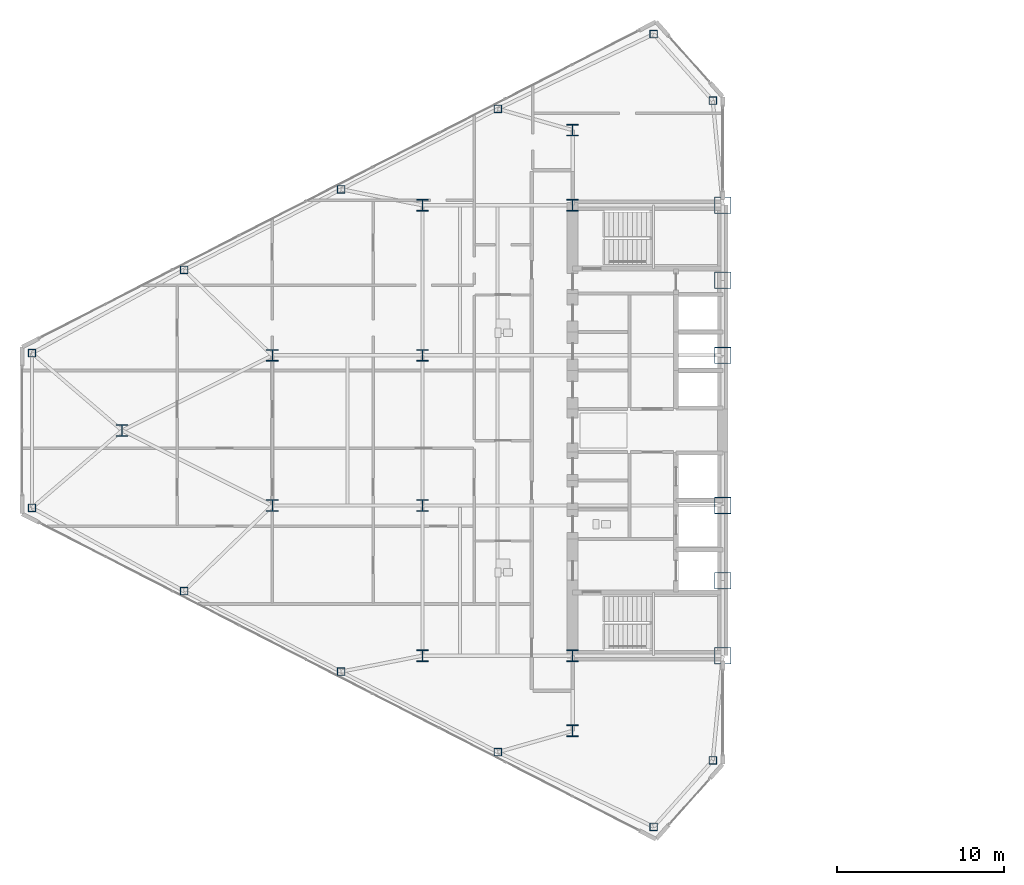
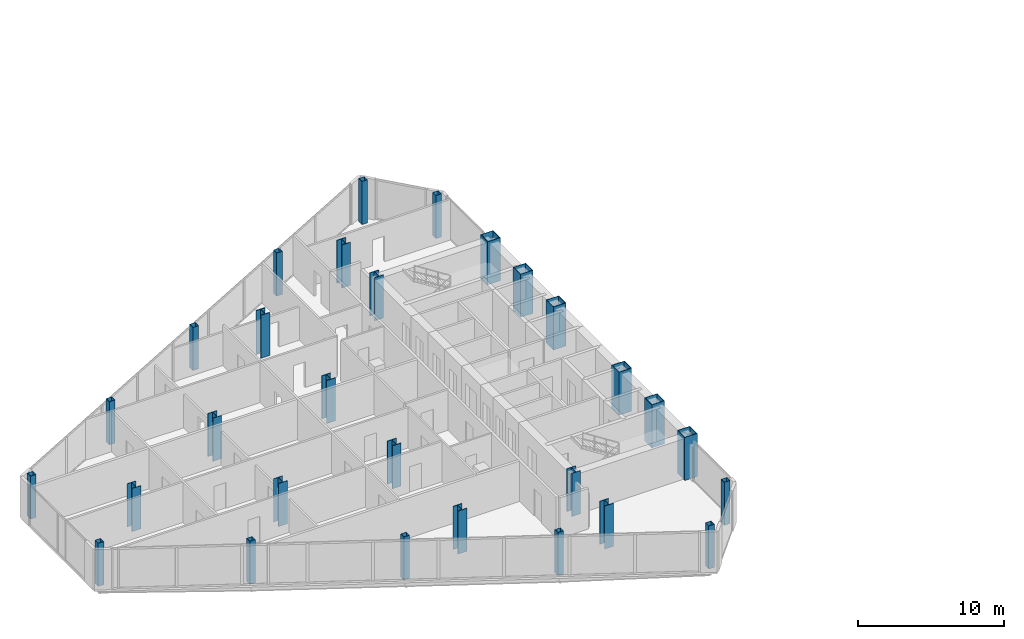
# One storey, part 1 of 24: 29 columns.
"""IFC4 building model written with IfcOpenShell, lengths in metres."""

from ifc_helpers import new_model, si_unit, direction, frame, origin, origin_2d, place, context, subcontext, project, spatial, hollow_rectangle, i_section, extrude, source, transform, mapped, material, material_profile, profile_set, type_object, type_shapes, element, save


model = new_model("IFC4")

# Units and contexts
model_context = context("Model", 3, precision=1e-05, world=origin(), true_north=direction((0.0, 1.0)))
body_context = subcontext(model_context, "Body", "Model", "MODEL_VIEW")
ifc_project = project(units=[si_unit("LENGTHUNIT", "METRE"), si_unit("AREAUNIT", "SQUARE_METRE"), si_unit("VOLUMEUNIT", "CUBIC_METRE"), si_unit("PLANEANGLEUNIT", "RADIAN"), si_unit("MASSUNIT", "GRAM", prefix="KILO")], contexts=[model_context])

# Site, building, storey
site_placement = place(None, origin())
site = spatial("IfcSite", under=ifc_project, at=site_placement, CompositionType="ELEMENT")
building_placement = place(site_placement, origin())
building = spatial("IfcBuilding", under=site, at=building_placement, Name="Seokmaru Belvedere", CompositionType="ELEMENT")
storey_placement = place(building_placement, frame((0.0, 0.0, 121.199951171875)))
storey = spatial("IfcBuildingStorey", under=building, at=storey_placement, Name="L32", CompositionType="ELEMENT", Elevation=121.199951171875)

# Columns
ifc_material_1 = material(Name="Steel HSA650 (650 MPa)", Category="steel")
ifc_material_profile_1 = material_profile(ifc_material_1, hollow_rectangle(XDim=1.0, YDim=1.0, WallThickness=0.0419921875, at=origin_2d()), Name="BOX-1000x1000x42")
ifc_profile_set_1 = profile_set([ifc_material_profile_1], Name="Steel HSA650 (650 MPa)")
column_type_1 = type_object("IfcColumnType", Name="Portal Spine Column BOX-1000", PredefinedType="COLUMN", material=ifc_profile_set_1)
shared_shape_1 = source(origin(), body_context, "Body", "SweptSolid", [
    extrude(hollow_rectangle(XDim=1.0, YDim=1.0, WallThickness=0.0419921875, at=origin_2d()), origin(), (0.0, 0.0, 1.0), 3.60009765625),
])
type_shapes(column_type_1, [shared_shape_1])
for number, where, z_axis, x_axis, name in (
    (1, (-27.5, -13.5, 0.0), (0.0, 0.0, 1.0), (1.0, 0.0, 0.0), "L32 Column WS1"),
    (2, (-27.5, -9.0, 0.0), (0.0, 0.0, 1.0), (1.0, 0.0, 0.0), "L32 Column WS2"),
    (3, (-27.5, -4.5, 0.0), (0.0, 0.0, 1.0), (1.0, 0.0, 0.0), "L32 Column WS3"),
    (4, (-27.5, 4.5, 0.0), (0.0, 0.0, 1.0), (1.0, 0.0, 0.0), "L32 Column WS4"),
    (5, (-27.5, 9.0, 0.0), (0.0, 0.0, 1.0), (1.0, 0.0, 0.0), "L32 Column WS5"),
    (6, (-27.5, 13.5, 0.0), (0.0, 0.0, 1.0), (1.0, 0.0, 0.0), "L32 Column WS6"),
):
    element("IfcColumn", number, at=place(storey_placement, frame(where, z_axis=z_axis, x_axis=x_axis)), inside=storey, type_object=column_type_1, Name=name, PredefinedType="COLUMN", context=body_context, shape_type="MappedRepresentation", body=[
        mapped(shared_shape_1, transform((0.0, 0.0, 0.0), scale=1.0)),
    ])
ifc_material_2 = material(Name="Steel SM355 (355 MPa)", Category="steel")
ifc_material_profile_2 = material_profile(ifc_material_2, i_section(OverallWidth=0.699951171875, OverallDepth=0.699951171875, WebThickness=0.028076171875, FlangeThickness=0.044921875, at=origin_2d()), Name="H-700x700x28x45")
ifc_profile_set_2 = profile_set([ifc_material_profile_2], Name="Steel SM355 (355 MPa)")
column_type_2 = type_object("IfcColumnType", Name="Mid Interior Column H-700", PredefinedType="COLUMN", material=ifc_profile_set_2)
shared_shape_2 = source(origin(), body_context, "Body", "SweptSolid", [
    extrude(i_section(OverallWidth=0.699951171875, OverallDepth=0.699951171875, WebThickness=0.028076171875, FlangeThickness=0.044921875, at=origin_2d()), origin(), (0.0, 0.0, 1.0), 3.60009765625),
])
type_shapes(column_type_2, [shared_shape_2])
for number, where, z_axis, x_axis, name in (
    (7, (-36.5, -18.0, 0.0), (0.0, 0.0, 1.0), (1.0, 0.0, 0.0), "L32 Column WC1"),
    (8, (-36.5, -13.5, 0.0), (0.0, 0.0, 1.0), (1.0, 0.0, 0.0), "L32 Column WC2"),
    (9, (-36.5, 13.5, 0.0), (0.0, 0.0, 1.0), (1.0, 0.0, 0.0), "L32 Column WC3"),
    (10, (-36.5, 18.0, 0.0), (0.0, 0.0, 1.0), (1.0, 0.0, 0.0), "L32 Column WC4"),
    (11, (-45.5, -13.5, 0.0), (0.0, 0.0, 1.0), (1.0, 0.0, 0.0), "L32 Column WG5_1"),
    (12, (-45.5, -4.5, 0.0), (0.0, 0.0, 1.0), (1.0, 0.0, 0.0), "L32 Column WG5_2"),
    (13, (-45.5, 4.5, 0.0), (0.0, 0.0, 1.0), (1.0, 0.0, 0.0), "L32 Column WG5_3"),
    (14, (-45.5, 13.5, 0.0), (0.0, 0.0, 1.0), (1.0, 0.0, 0.0), "L32 Column WG5_4"),
    (15, (-54.5, -4.5, 0.0), (0.0, 0.0, 1.0), (1.0, 0.0, 0.0), "L32 Column WG4P_1"),
    (16, (-54.5, 4.5, 0.0), (0.0, 0.0, 1.0), (1.0, 0.0, 0.0), "L32 Column WG4P_2"),
    (17, (-63.5, 0.0, 0.0), (0.0, 0.0, 1.0), (1.0, 0.0, 0.0), "L32 Column WG3P_1"),
):
    element("IfcColumn", number, at=place(storey_placement, frame(where, z_axis=z_axis, x_axis=x_axis)), inside=storey, type_object=column_type_2, Name=name, PredefinedType="COLUMN", context=body_context, shape_type="MappedRepresentation", body=[
        mapped(shared_shape_2, transform((0.0, 0.0, 0.0), scale=1.0)),
    ])
ifc_material_profile_3 = material_profile(ifc_material_2, hollow_rectangle(XDim=0.449951171875, YDim=0.449951171875, WallThickness=0.01806640625, at=origin_2d()), Name="HSS-450x450x18")
ifc_profile_set_3 = profile_set([ifc_material_profile_3], Name="Steel SM355 (355 MPa)")
column_type_3 = type_object("IfcColumnType", Name="Perimeter Facet Column HSS-450", PredefinedType="COLUMN", material=ifc_profile_set_3)
shared_shape_3 = source(origin(), body_context, "Body", "SweptSolid", [
    extrude(hollow_rectangle(XDim=0.449951171875, YDim=0.449951171875, WallThickness=0.01806640625, at=origin_2d()), origin(), (0.0, 0.0, 1.0), 3.60009765625),
])
type_shapes(column_type_3, [shared_shape_3])
for number, where, z_axis, x_axis, name in (
    (18, (-28.10009765625, -19.77197265625, 0.0), (0.0, 0.0, 1.0), (1.0, 0.0, 0.0), "L32 Column WF1"),
    (19, (-28.10009765625, 19.77197265625, 0.0), (0.0, 0.0, 1.0), (1.0, 0.0, 0.0), "L32 Column WF2"),
    (20, (-31.6396484375, 23.75390625, 0.0), (0.0, 0.0, 1.0), (1.0, 0.0, 0.0), "L32 Column WF3"),
    (21, (-68.89990234375, 4.633544921875, 0.0), (0.0, 0.0, 1.0), (1.0, 0.0, 0.0), "L32 Column WF4"),
    (22, (-68.89990234375, -4.633544921875, 0.0), (0.0, 0.0, 1.0), (1.0, 0.0, 0.0), "L32 Column WF5"),
    (23, (-31.6396484375, -23.75390625, 0.0), (0.0, 0.0, 1.0), (1.0, 0.0, 0.0), "L32 Column WF6"),
    (24, (-40.975830078125, -19.277587890625, 0.0), (0.0, 0.0, 1.0), (1.0, 0.0, 0.0), "L32 Column WFLK_S1"),
    (25, (-50.377197265625, -14.453369140625, 0.0), (0.0, 0.0, 1.0), (1.0, 0.0, 0.0), "L32 Column WFLK_S2"),
    (26, (-59.778564453125, -9.62890625, 0.0), (0.0, 0.0, 1.0), (1.0, 0.0, 0.0), "L32 Column WFLK_S3"),
    (27, (-40.975830078125, 19.277587890625, 0.0), (0.0, 0.0, 1.0), (1.0, 0.0, 0.0), "L32 Column WFLK_N1"),
    (28, (-50.377197265625, 14.453369140625, 0.0), (0.0, 0.0, 1.0), (1.0, 0.0, 0.0), "L32 Column WFLK_N2"),
    (29, (-59.778564453125, 9.62890625, 0.0), (0.0, 0.0, 1.0), (1.0, 0.0, 0.0), "L32 Column WFLK_N3"),
):
    element("IfcColumn", number, at=place(storey_placement, frame(where, z_axis=z_axis, x_axis=x_axis)), inside=storey, type_object=column_type_3, Name=name, PredefinedType="COLUMN", context=body_context, shape_type="MappedRepresentation", body=[
        mapped(shared_shape_3, transform((0.0, 0.0, 0.0), scale=1.0)),
    ])

save(model, "model.ifc")
